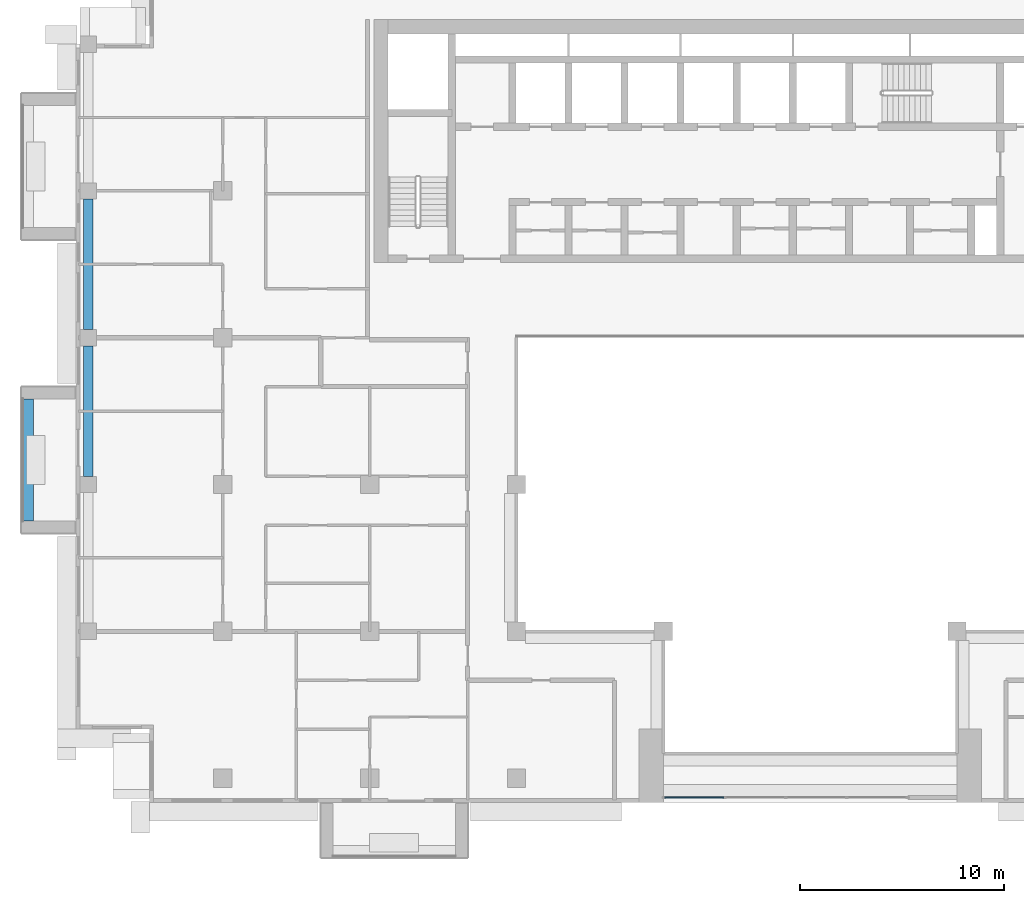
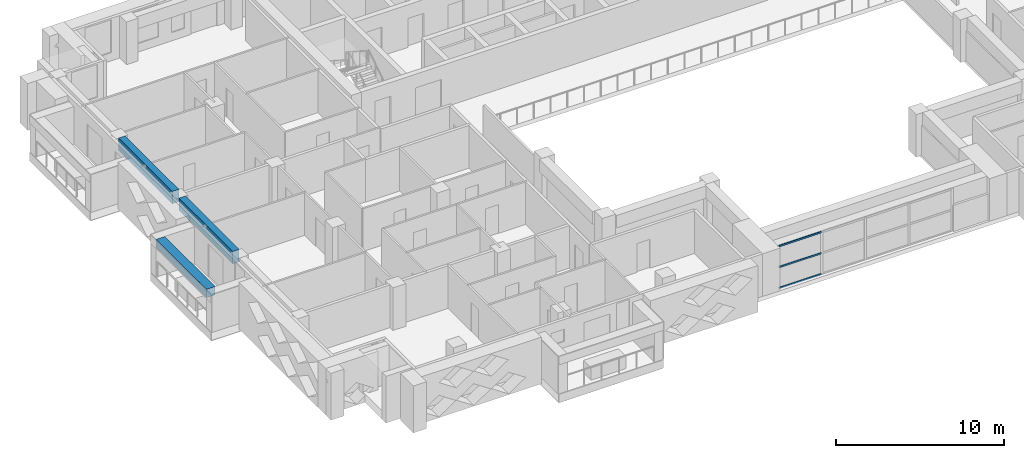
# One storey, part 3 of 20: 3 beams, 3 members, 1 element without a shape of its own.
"""IFC4 building model written with IfcOpenShell, lengths in metres."""

import ifcopenshell
import ifcopenshell.guid

model = None  # the IFC model being written
_history = None  # IfcOwnerHistory: only IFC2X3 demands one
_inside = {}  # id of a spatial element -> (the spatial element, [elements in it])
_under = {}  # id of a project, library or spatial element -> (it, [spatial elements below it])
_declared = {}  # id of a project -> (the project, [libraries it declares])
_typed = {}  # id of a type object -> (the type object, [elements of that type])
_made_of = {}  # id of a material, layer set ... -> (it, [elements and type objects made of it])


def new_model(schema):
    """Start an empty IFC model of exactly this schema.

    Asked for "IFC4X3", IfcOpenShell would pick the latest addendum, in which some entities
    have other attributes; the version numbers below select the first issue.
    IFC2X3 requires an IfcOwnerHistory on every rooted entity: one is made here for all.
    """
    global model, _history
    if schema == "IFC4X3":
        model = ifcopenshell.file(schema_version=(4, 3, 0, 0))
    else:
        model = ifcopenshell.file(schema=schema)
    _inside.clear()
    _under.clear()
    _declared.clear()
    _typed.clear()
    _made_of.clear()
    _history = None
    if model.schema == "IFC2X3":
        org = make("IfcOrganization", Name="unknown")
        user = make(
            "IfcPersonAndOrganization",
            ThePerson=make("IfcPerson", FamilyName="unknown"),
            TheOrganization=org,
        )
        app = make(
            "IfcApplication",
            ApplicationDeveloper=org,
            Version="unknown",
            ApplicationFullName="unknown",
            ApplicationIdentifier="unknown",
        )
        _history = make(
            "IfcOwnerHistory",
            OwningUser=user,
            OwningApplication=app,
            ChangeAction="ADDED",
            CreationDate=0,
        )
    return model


def make(cls, **values):
    """One entity of the class cls with the attributes given. An attribute that is None is left unset."""
    return model.create_entity(
        cls, **{name: value for name, value in values.items() if value is not None}
    )


def rooted(cls, **values):
    """An entity with a GlobalId (a new one), such as an element, a storey or a relation."""
    return make(cls, GlobalId=ifcopenshell.guid.new(), OwnerHistory=_history, **values)


def si_unit(unit_type, name, prefix=None):
    """IfcSIUnit, for example si_unit("LENGTHUNIT", "METRE", prefix="MILLI")."""
    return make("IfcSIUnit", UnitType=unit_type, Prefix=prefix, Name=name)


def assignment(units):
    """IfcUnitAssignment: the units of a project."""
    return None if units is None else make("IfcUnitAssignment", Units=units)


def point(xyz):
    """IfcCartesianPoint."""
    return None if xyz is None else make("IfcCartesianPoint", Coordinates=xyz)


def direction(xyz):
    """IfcDirection."""
    return None if xyz is None else make("IfcDirection", DirectionRatios=xyz)


def frame(location, z_axis=None, x_axis=None):
    """IfcAxis2Placement3D, a coordinate frame: its origin and axes. An axis left out is left unset."""
    return make(
        "IfcAxis2Placement3D",
        Location=point(location),
        Axis=direction(z_axis),
        RefDirection=direction(x_axis),
    )


def frame_2d(location, x_axis=None):
    """IfcAxis2Placement2D, a coordinate frame in the plane: its origin and x axis."""
    return make(
        "IfcAxis2Placement2D", Location=point(location), RefDirection=direction(x_axis)
    )


def origin():
    """The frame at (0, 0, 0) with its axes left unset."""
    return frame((0.0, 0.0, 0.0))


def origin_2d():
    """The frame at (0, 0) in the plane with its x axis left unset."""
    return frame_2d((0.0, 0.0))


def place(relative_to, where):
    """IfcLocalPlacement: puts the frame where relative to a parent placement (None: the world)."""
    return make(
        "IfcLocalPlacement", PlacementRelTo=relative_to, RelativePlacement=where
    )


def context(
    kind, dimensions, precision=None, world=None, true_north=None, identifier=None
):
    """IfcGeometricRepresentationContext, for example the 3D "Model" context."""
    return make(
        "IfcGeometricRepresentationContext",
        ContextIdentifier=identifier,
        ContextType=kind,
        CoordinateSpaceDimension=dimensions,
        Precision=precision,
        WorldCoordinateSystem=world,
        TrueNorth=true_north,
    )


def subcontext(parent, identifier, kind, view, scale=None):
    """IfcGeometricRepresentationSubContext, for example "Body" below "Model"."""
    return make(
        "IfcGeometricRepresentationSubContext",
        ContextIdentifier=identifier,
        ContextType=kind,
        ParentContext=parent,
        TargetScale=scale,
        TargetView=view,
    )


def project(units=None, contexts=None):
    """IfcProject with its units and contexts."""
    return rooted(
        "IfcProject",
        Name="project",
        RepresentationContexts=contexts,
        UnitsInContext=assignment(units),
    )


def spatial(cls, under=None, at=None, **own):
    """A site, building, storey or space (cls), placed at a placement, below another one or the project."""
    s = rooted(cls, ObjectPlacement=at, **own)
    if under is not None:
        _under.setdefault(under.id(), (under, []))[1].append(s)
    return s


def profile(cls, at=None, kind="AREA", **sizes):
    """A parametric profile (cls). Its sizes go by their IFC names, for example OverallWidth=200.0."""
    return make(cls, ProfileType=kind, Position=at, **sizes)


def rectangle(**sizes):
    """IfcRectangleProfileDef."""
    return profile("IfcRectangleProfileDef", **sizes)


def extrude(swept, where, along, depth):
    """IfcExtrudedAreaSolid: the profile swept, set in the frame where, extruded along a direction by depth."""
    return make(
        "IfcExtrudedAreaSolid",
        SweptArea=swept,
        Position=where,
        ExtrudedDirection=direction(along),
        Depth=depth,
    )


def shape(context_of_items, identifier, shape_type, items):
    """IfcShapeRepresentation: the items that make up one representation, for example the "Body"."""
    return make(
        "IfcShapeRepresentation",
        ContextOfItems=context_of_items,
        RepresentationIdentifier=identifier,
        RepresentationType=shape_type,
        Items=items,
    )


def source(mapping_origin, context_of_items, identifier, shape_type, items):
    """IfcRepresentationMap: a shape defined once, which mapped items show again and again."""
    return make(
        "IfcRepresentationMap",
        MappingOrigin=mapping_origin,
        MappedRepresentation=shape(context_of_items, identifier, shape_type, items),
    )


def transform(
    local_origin,
    x_axis=None,
    y_axis=None,
    z_axis=None,
    scale=None,
    scale2=None,
    scale3=None,
    uniform=True,
):
    """IfcCartesianTransformationOperator3D, or its non-uniform kind. x_axis, y_axis, z_axis: its Axis1, 2, 3."""
    if uniform:
        return make(
            "IfcCartesianTransformationOperator3D",
            Axis1=direction(x_axis),
            Axis2=direction(y_axis),
            LocalOrigin=point(local_origin),
            Scale=scale,
            Axis3=direction(z_axis),
        )
    return make(
        "IfcCartesianTransformationOperator3DnonUniform",
        Axis1=direction(x_axis),
        Axis2=direction(y_axis),
        LocalOrigin=point(local_origin),
        Scale=scale,
        Axis3=direction(z_axis),
        Scale2=scale2,
        Scale3=scale3,
    )


def mapped(mapping_source, mapping_target):
    """IfcMappedItem: shows the shape of a source again, moved by a transform."""
    return make(
        "IfcMappedItem", MappingSource=mapping_source, MappingTarget=mapping_target
    )


def material(Name=None, Category=None):
    """IfcMaterial."""
    return make("IfcMaterial", Name=Name, Category=Category)


def layer(
    of_material, thickness, ventilated=None, Name=None, Category=None, Priority=None
):
    """IfcMaterialLayer: one layer of a wall or slab, of a material (None: an air gap)."""
    return make(
        "IfcMaterialLayer",
        Material=of_material,
        LayerThickness=thickness,
        IsVentilated=ventilated,
        Name=Name,
        Category=Category,
        Priority=Priority,
    )


def layer_set(layers, Name=None):
    """IfcMaterialLayerSet."""
    return make("IfcMaterialLayerSet", MaterialLayers=layers, LayerSetName=Name)


def material_profile(
    of_material, cross_section, Name=None, Category=None, Priority=None
):
    """IfcMaterialProfile: a cross section and its material."""
    return make(
        "IfcMaterialProfile",
        Name=Name,
        Material=of_material,
        Profile=cross_section,
        Priority=Priority,
        Category=Category,
    )


def profile_set(profiles, Name=None, composite=None):
    """IfcMaterialProfileSet."""
    return make(
        "IfcMaterialProfileSet",
        Name=Name,
        MaterialProfiles=profiles,
        CompositeProfile=composite,
    )


def made_of(thing, what):
    """Note that an element or type object is made of a material, layer set ...; save() writes the relation."""
    if what is not None:
        _made_of.setdefault(what.id(), (what, []))[1].append(thing)
    return thing


def type_object(cls, material=None, **own):
    """A type object (cls), such as IfcWallType, which elements share."""
    return made_of(rooted(cls, **own), material)


def element(
    cls,
    number,
    at=None,
    inside=None,
    cuts=None,
    type_object=None,
    material=None,
    context=None,
    identifier="Body",
    shape_type=None,
    held_by="IfcProductDefinitionShape",
    body=None,
    shapes=None,
    **own,
):
    """One element of the class cls, such as IfcWall. Its Tag is "e" and its number.

    at: its placement. inside: the storey or other place that contains it. cuts: it is an
    opening in that element (IfcRelVoidsElement). A single representation is given by context,
    identifier, shape_type and body (its items); several are given by shapes. held_by: the class
    of the entity that holds the representations. save() writes the other relations.
    """
    e = rooted(cls, Tag="e%d" % number, ObjectPlacement=at, **own)
    if body is not None:
        shapes = [shape(context, identifier, shape_type, body)]
    if shapes is not None:
        e.Representation = make(held_by, Representations=shapes)
    if inside is not None:
        _inside.setdefault(inside.id(), (inside, []))[1].append(e)
    if cuts is not None:
        rooted(
            "IfcRelVoidsElement", RelatingBuildingElement=cuts, RelatedOpeningElement=e
        )
    if type_object is not None:
        _typed.setdefault(type_object.id(), (type_object, []))[1].append(e)
    return made_of(e, material)


def aggregate(whole, parts):
    """IfcRelAggregates: a whole, such as a stair, and the parts it consists of."""
    return rooted("IfcRelAggregates", RelatingObject=whole, RelatedObjects=parts)


def save(model, path):
    """Write the relations noted so far, then the file.

    IfcRelAggregates (storeys below a building ...), IfcRelContainedInSpatialStructure (elements
    in a storey), IfcRelDefinesByType, IfcRelAssociatesMaterial and IfcRelDeclares: one each for
    every whole, place, type object, material and project.
    """
    for whole, parts in _under.values():
        aggregate(whole, parts)
    for where, things in _inside.values():
        rooted(
            "IfcRelContainedInSpatialStructure",
            RelatedElements=things,
            RelatingStructure=where,
        )
    for kind, things in _typed.values():
        rooted("IfcRelDefinesByType", RelatedObjects=things, RelatingType=kind)
    for what, things in _made_of.values():
        rooted("IfcRelAssociatesMaterial", RelatedObjects=things, RelatingMaterial=what)
    for by, libraries in _declared.values():
        rooted("IfcRelDeclares", RelatingContext=by, RelatedDefinitions=libraries)
    model.write(path)


model = new_model("IFC4")

# Units and contexts
model_context = context("Model", 3, precision=1e-05, world=origin(), true_north=direction((0.0, 1.0)))
body_context = subcontext(model_context, "Body", "Model", "MODEL_VIEW")
ifc_project = project(units=[si_unit("LENGTHUNIT", "METRE"), si_unit("AREAUNIT", "SQUARE_METRE"), si_unit("VOLUMEUNIT", "CUBIC_METRE"), si_unit("PLANEANGLEUNIT", "RADIAN"), si_unit("MASSUNIT", "GRAM", prefix="KILO")], contexts=[model_context])

# Site, building, storey
site_placement = place(None, origin())
site = spatial("IfcSite", under=ifc_project, at=site_placement, CompositionType="ELEMENT")
building_placement = place(site_placement, origin())
building = spatial("IfcBuilding", under=site, at=building_placement, Name="Saffron Iwan Residences", CompositionType="ELEMENT")
storey_placement = place(building_placement, frame((0.0, 0.0, 202.5)))
storey = spatial("IfcBuildingStorey", under=building, at=storey_placement, Name="L54", CompositionType="ELEMENT", Elevation=202.5)

# Beams
ifc_material_1 = material(Name="Concrete C50/60", Category="concrete")
ifc_material_profile_1 = material_profile(ifc_material_1, rectangle(XDim=0.449951171875, YDim=0.89990234375, at=origin_2d()), Name="RC 450x900")
ifc_profile_set_1 = profile_set([ifc_material_profile_1], Name="Concrete C50/60")
beam_type_1 = type_object("IfcBeamType", Name="SPANDREL BEAM RC 450x900 C50/60 TOP 3100", PredefinedType="SPANDREL", material=ifc_profile_set_1)
shared_shape_1 = source(origin(), body_context, "Body", "SweptSolid", [
    extrude(rectangle(XDim=0.449951171875, YDim=0.89990234375, at=origin_2d()), origin(), (0.0, 0.0, 1.0), 6.39990234375),
])
for number, where, z_axis, x_axis, name in (
    (1, (15.0, 55.60009765625, 2.64990234375), (0.0, 1.0, 0.0), (-1.0, 0.0, 0.0), "Spandrel beam"),
    (2, (15.0, 62.800048828125, 2.64990234375), (0.0, 1.0, 0.0), (-1.0, 0.0, 0.0), "Spandrel beam"),
):
    element("IfcBeam", number, at=place(storey_placement, frame(where, z_axis=z_axis, x_axis=x_axis)), inside=storey, type_object=beam_type_1, Name=name, PredefinedType="SPANDREL", context=body_context, shape_type="MappedRepresentation", body=[
        mapped(shared_shape_1, transform((0.0, 0.0, 0.0))),
    ])

# Curtain wall, members
ifc_material_2 = material(Name="Clear glass, laminated double glazed", Category="glass")
ifc_layer = layer(ifc_material_2, 0.199951171875)
ifc_layer_set = layer_set([ifc_layer], Name="Clear glass, laminated double glazed")
curtain_wall_type = type_object("IfcCurtainWallType", Name="CW-B IWAN PORTAL", PredefinedType="NOTDEFINED", material=ifc_layer_set)
curtain_wall_placement = place(storey_placement, origin())
curtain_wall = element("IfcCurtainWall", 3, at=curtain_wall_placement, inside=storey, type_object=curtain_wall_type, Name="Iwan portal glazing L54.1", PredefinedType="NOTDEFINED")
ifc_material_3 = material(Name="Aluminium 6063-T6", Category="aluminium")
ifc_material_profile_2 = material_profile(ifc_material_3, rectangle(XDim=0.06005859375, YDim=0.1201171875, at=origin_2d()), Name="CW-B TRANSOM 60 x 120")
ifc_profile_set_2 = profile_set([ifc_material_profile_2], Name="Aluminium 6063-T6")
member_type = type_object("IfcMemberType", Name="CW-B TRANSOM 60 x 120", PredefinedType="USERDEFINED", material=ifc_profile_set_2)
shared_shape_2 = source(origin(), body_context, "Body", "SweptSolid", [
    extrude(rectangle(XDim=0.06005859375, YDim=0.1201171875, at=origin_2d()), origin(), (0.0, 0.0, 1.0), 2.909912109375),
])
member_1_placement = place(storey_placement, frame((43.260009765625, 39.85009765625, 0.030029296875), z_axis=(1.0, 0.0, 0.0), x_axis=(0.0, 1.0, 0.0)))
member_1 = element("IfcMember", 4, at=member_1_placement, type_object=member_type, Name="CW-B transom 1.1", ObjectType="TRANSOM", PredefinedType="USERDEFINED", context=body_context, shape_type="MappedRepresentation", body=[
    mapped(shared_shape_2, transform((0.0, 0.0, 0.0))),
])
member_2_placement = place(storey_placement, frame((43.260009765625, 39.85009765625, 1.550048828125), z_axis=(1.0, 0.0, 0.0), x_axis=(0.0, 1.0, 0.0)))
member_2 = element("IfcMember", 5, at=member_2_placement, type_object=member_type, Name="CW-B transom 1.2", ObjectType="TRANSOM", PredefinedType="USERDEFINED", context=body_context, shape_type="MappedRepresentation", body=[
    mapped(shared_shape_2, transform((0.0, 0.0, 0.0))),
])
member_3_placement = place(storey_placement, frame((43.260009765625, 39.85009765625, 3.070068359375), z_axis=(1.0, 0.0, 0.0), x_axis=(0.0, 1.0, 0.0)))
member_3 = element("IfcMember", 6, at=member_3_placement, type_object=member_type, Name="CW-B transom 1.3", ObjectType="TRANSOM", PredefinedType="USERDEFINED", context=body_context, shape_type="MappedRepresentation", body=[
    mapped(shared_shape_2, transform((0.0, 0.0, 0.0))),
])
aggregate(curtain_wall, [member_1, member_2, member_3])

# Beam
ifc_material_4 = material(Name="Concrete C50/60 white painted", Category="concrete")
ifc_material_profile_3 = material_profile(ifc_material_4, rectangle(XDim=0.60009765625, YDim=0.60009765625, at=origin_2d()), Name="BALCONY FASCIA BEAM 600 x 600")
ifc_profile_set_3 = profile_set([ifc_material_profile_3], Name="Concrete C50/60 white painted")
beam_type_2 = type_object("IfcBeamType", Name="BALCONY FASCIA BEAM 600 x 600", PredefinedType="BEAM", material=ifc_profile_set_3)
shared_shape_3 = source(origin(), body_context, "Body", "SweptSolid", [
    extrude(rectangle(XDim=0.60009765625, YDim=0.60009765625, at=origin_2d()), origin(), (0.0, 0.0, 1.0), 6.0),
])
beam_placement = place(storey_placement, frame((12.0, 59.39990234375, 2.449951171875), z_axis=(0.0, -1.0, 0.0), x_axis=(1.0, 0.0, 0.0)))
element("IfcBeam", 7, at=beam_placement, inside=storey, type_object=beam_type_2, Name="Balcony fascia beam L54 F8-1", PredefinedType="BEAM", context=body_context, shape_type="MappedRepresentation", body=[
    mapped(shared_shape_3, transform((0.0, 0.0, 0.0))),
])

save(model, "model.ifc")
